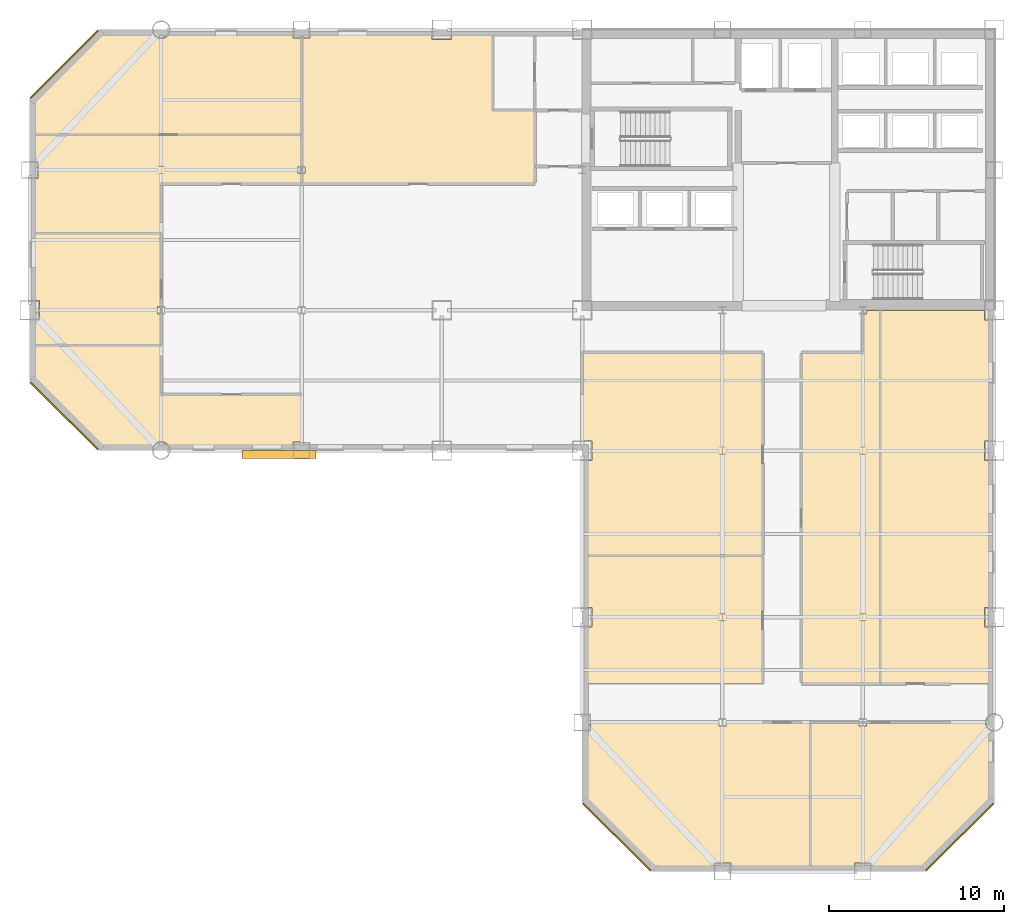
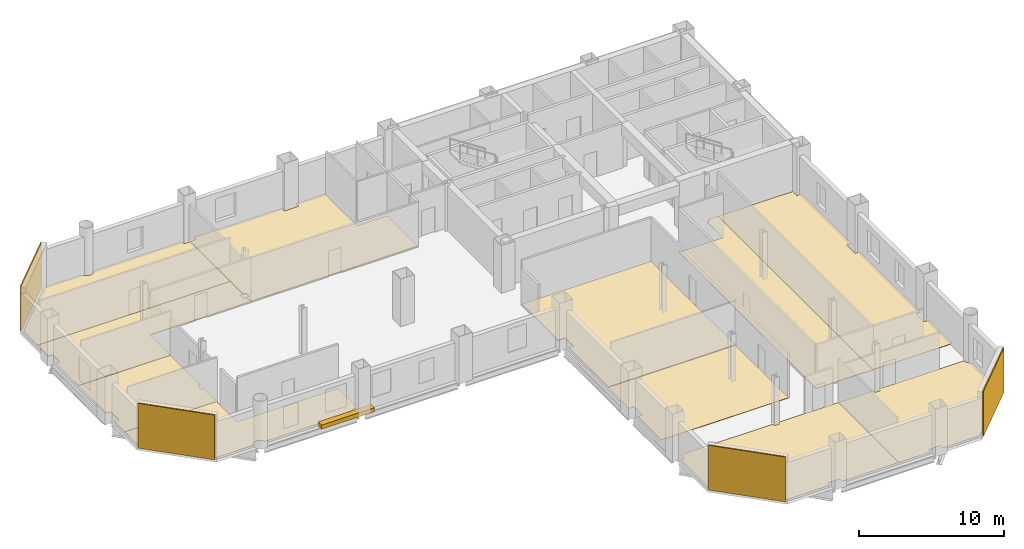
# One storey, part 9 of 10: 15 coverings, 1 shading device.
"""IFC4 building model written with IfcOpenShell, lengths in metres."""

from ifc_helpers import new_model, si_unit, direction, frame, origin, origin_2d, place, context, subcontext, project, spatial, polyline, rectangle, outline, extrude, material, layer, layer_set, type_object, element, save


model = new_model("IFC4")

# Units and contexts
model_context = context("Model", 3, precision=1e-05, world=origin(), true_north=direction((0.0, 1.0)))
body_context = subcontext(model_context, "Body", "Model", "MODEL_VIEW")
ifc_project = project(units=[si_unit("LENGTHUNIT", "METRE"), si_unit("AREAUNIT", "SQUARE_METRE"), si_unit("VOLUMEUNIT", "CUBIC_METRE"), si_unit("PLANEANGLEUNIT", "RADIAN"), si_unit("MASSUNIT", "GRAM", prefix="KILO")], contexts=[model_context])

# Site, building, storey
site_placement = place(None, origin())
site = spatial("IfcSite", under=ifc_project, at=site_placement, CompositionType="ELEMENT")
building_placement = place(site_placement, origin())
building = spatial("IfcBuilding", under=site, at=building_placement, Name="Qianrong Seaharbour Tower", CompositionType="ELEMENT")
storey_placement = place(building_placement, frame((0.0, 0.0, 159.0)))
storey = spatial("IfcBuildingStorey", under=building, at=storey_placement, Name="L38", CompositionType="ELEMENT", Elevation=159.0)

# Coverings
ifc_material_1 = material(Name="Unitised red brick cladding on Precast concrete C45/55", Category="masonry")
ifc_layer_1 = layer(ifc_material_1, 0.080078125)
ifc_layer_set_1 = layer_set([ifc_layer_1], Name="Unitised red brick cladding on Precast concrete C45/55")
covering_type_1 = type_object("IfcCoveringType", Name="COV-CLAD-RED-BRICK-80", PredefinedType="CLADDING", material=ifc_layer_set_1)
for number, where, z_axis, x_axis, name in (
    (1, (10.9716796875, 29.9716796875, 0.0), (0.0, 0.0, 1.0), (-0.707106781187, 0.707106781187, 0.0), "L38 Chamfer Corner Brick Cladding 02"),
    (2, (10.9716796875, 50.0283203125, 0.0), (0.0, 0.0, 1.0), (0.707106781187, 0.707106781187, 0.0), "L38 Chamfer Corner Brick Cladding 04"),
    (3, (62.0283203125, 5.9716796875, 0.0), (0.0, 0.0, 1.0), (-0.707106781187, -0.707106781187, 0.0), "L38 Chamfer Corner Brick Cladding 07"),
    (4, (42.4716796875, 5.9716796875, 0.0), (0.0, 0.0, 1.0), (-0.707106781187, 0.707106781187, 0.0), "L38 Chamfer Corner Brick Cladding 09"),
):
    element("IfcCovering", number, at=place(storey_placement, frame(where, z_axis=z_axis, x_axis=x_axis)), inside=storey, type_object=covering_type_1, Name=name, PredefinedType="CLADDING", context=body_context, shape_type="SweptSolid", body=[
        extrude(rectangle(XDim=5.456787109375, YDim=0.080078125, at=origin_2d()), origin(), (0.0, 0.0, 1.0), 3.764892578125),
    ])
ifc_material_2 = material(Name="Acoustic modular carpet tile flooring")
ifc_layer_2 = layer(ifc_material_2, 0.02001953125)
ifc_layer_set_2 = layer_set([ifc_layer_2], Name="Acoustic modular carpet tile flooring")
covering_type_2 = type_object("IfcCoveringType", Name="COV-FLOOR-CARPET-20", PredefinedType="FLOORING", material=ifc_layer_set_2)
covering_1_placement = place(storey_placement, origin())
element("IfcCovering", 5, at=covering_1_placement, inside=storey, type_object=covering_type_2, Name="L38 Harbour Sunset Lounge 1 Finish Flooring", PredefinedType="FLOORING", context=body_context, shape_type="SweptSolid", body=[
    extrude(outline(polyline([(16.977294921875, 28.175048828125), (16.97119140625, 28.1953125), (16.924072265625, 28.283203125), (16.860595703125, 28.360595703125), (16.783203125, 28.424072265625), (16.6953125, 28.47119140625), (16.599609375, 28.500244140625), (16.5, 28.510009765625), (16.400390625, 28.500244140625), (16.3046875, 28.47119140625), (16.216796875, 28.424072265625), (16.139404296875, 28.360595703125), (16.075927734375, 28.283203125), (16.02880859375, 28.1953125), (16.022705078125, 28.175048828125), (13.072509765625, 28.175048828125), (9.175048828125, 32.072509765625), (9.175048828125, 34.0), (16.5, 34.0), (16.5, 31.199951171875), (24.5, 31.199951171875), (24.5, 28.485107421875), (24.014892578125, 28.485107421875), (24.014892578125, 28.175048828125), (16.977294921875, 28.175048828125)])), origin(), (0.0, 0.0, 1.0), 0.02001953125),
])
covering_2_placement = place(storey_placement, origin())
element("IfcCovering", 6, at=covering_2_placement, inside=storey, type_object=covering_type_2, Name="L38 Barista Coffee Pantry 2 Finish Flooring", PredefinedType="FLOORING", context=body_context, shape_type="SweptSolid", body=[
    extrude(outline(polyline([(9.175048828125, 35.43994140625), (9.56005859375, 35.43994140625), (9.56005859375, 36.56005859375), (9.175048828125, 36.56005859375), (9.175048828125, 40.39990234375), (16.5, 40.39990234375), (16.5, 36.2099609375), (16.2900390625, 36.2099609375), (16.2900390625, 35.7900390625), (16.5, 35.7900390625), (16.5, 34.0), (9.175048828125, 34.0), (9.175048828125, 35.43994140625)])), origin(), (0.0, 0.0, 1.0), 0.02001953125),
])
covering_3_placement = place(storey_placement, origin())
element("IfcCovering", 7, at=covering_3_placement, inside=storey, type_object=covering_type_2, Name="L38 Quiet Sitting Lounge 4 Finish Flooring", PredefinedType="FLOORING", context=body_context, shape_type="SweptSolid", body=[
    extrude(outline(polyline([(9.175048828125, 47.927490234375), (13.072509765625, 51.824951171875), (16.022705078125, 51.824951171875), (16.02880859375, 51.8046875), (16.075927734375, 51.716796875), (16.139404296875, 51.639404296875), (16.216796875, 51.575927734375), (16.3046875, 51.52880859375), (16.400390625, 51.499755859375), (16.5, 51.489990234375), (16.599609375, 51.499755859375), (16.6953125, 51.52880859375), (16.783203125, 51.575927734375), (16.860595703125, 51.639404296875), (16.924072265625, 51.716796875), (16.97119140625, 51.8046875), (16.977294921875, 51.824951171875), (24.014892578125, 51.824951171875), (24.014892578125, 51.514892578125), (24.5, 51.514892578125), (24.5, 46.0), (9.175048828125, 46.0), (9.175048828125, 47.927490234375)])), origin(), (0.0, 0.0, 1.0), 0.02001953125),
])
covering_4_placement = place(storey_placement, origin())
element("IfcCovering", 8, at=covering_4_placement, inside=storey, type_object=covering_type_2, Name="L38 Catering Servery Kitchen 2 Finish Flooring", PredefinedType="FLOORING", context=body_context, shape_type="SweptSolid", body=[
    extrude(outline(polyline([(63.43994140625, 36.0), (63.43994140625, 35.43994140625), (63.824951171875, 35.43994140625), (63.824951171875, 28.56005859375), (63.43994140625, 28.56005859375), (63.43994140625, 27.43994140625), (63.824951171875, 27.43994140625), (63.824951171875, 19.06005859375), (63.43994140625, 19.06005859375), (63.43994140625, 17.93994140625), (63.824951171875, 17.93994140625), (63.824951171875, 14.699951171875), (57.5, 14.699951171875), (57.5, 36.0), (63.43994140625, 36.0)])), origin(), (0.0, 0.0, 1.0), 0.02001953125),
])
covering_5_placement = place(storey_placement, origin())
element("IfcCovering", 9, at=covering_5_placement, inside=storey, type_object=covering_type_2, Name="L38 Wet Pantry 1 Finish Flooring", PredefinedType="FLOORING", context=body_context, shape_type="SweptSolid", body=[
    extrude(outline(polyline([(40.675048828125, 14.699951171875), (40.675048828125, 17.93994140625), (41.06005859375, 17.93994140625), (41.06005859375, 19.06005859375), (40.675048828125, 19.06005859375), (40.675048828125, 22.0), (50.800048828125, 22.0), (50.800048828125, 14.699951171875), (40.675048828125, 14.699951171875)])), origin(), (0.0, 0.0, 1.0), 0.02001953125),
])
covering_6_placement = place(storey_placement, origin())
element("IfcCovering", 10, at=covering_6_placement, inside=storey, type_object=covering_type_2, Name="L38 South View Lounge 1 Finish Flooring", PredefinedType="FLOORING", context=body_context, shape_type="SweptSolid", body=[
    extrude(outline(polyline([(48.985107421875, 4.175048828125), (48.985107421875, 4.485107421875), (48.014892578125, 4.485107421875), (48.014892578125, 4.175048828125), (44.572509765625, 4.175048828125), (40.675048828125, 8.072509765625), (40.675048828125, 12.014892578125), (40.985107421875, 12.014892578125), (40.985107421875, 12.5), (48.2900390625, 12.5), (48.2900390625, 12.2900390625), (48.7099609375, 12.2900390625), (48.7099609375, 12.5), (53.5, 12.5), (53.5, 4.175048828125), (48.985107421875, 4.175048828125)])), origin(), (0.0, 0.0, 1.0), 0.02001953125),
])
covering_7_placement = place(storey_placement, origin())
element("IfcCovering", 11, at=covering_7_placement, inside=storey, type_object=covering_type_2, Name="L38 Tea Servery Pantry 2 Finish Flooring", PredefinedType="FLOORING", context=body_context, shape_type="SweptSolid", body=[
    extrude(outline(polyline([(63.824951171875, 8.072509765625), (59.927490234375, 4.175048828125), (56.985107421875, 4.175048828125), (56.985107421875, 4.485107421875), (56.014892578125, 4.485107421875), (56.014892578125, 4.175048828125), (53.5, 4.175048828125), (53.5, 12.5), (56.2900390625, 12.5), (56.2900390625, 12.2900390625), (56.7099609375, 12.2900390625), (56.7099609375, 12.5), (63.489990234375, 12.5), (63.499755859375, 12.400390625), (63.52880859375, 12.3046875), (63.575927734375, 12.216796875), (63.639404296875, 12.139404296875), (63.716796875, 12.075927734375), (63.8046875, 12.02880859375), (63.824951171875, 12.022705078125), (63.824951171875, 8.072509765625)])), origin(), (0.0, 0.0, 1.0), 0.02001953125),
])
ifc_material_3 = material(Name="Honed granite stone flooring", Category="masonry")
ifc_layer_3 = layer(ifc_material_3, 0.030029296875)
ifc_layer_set_3 = layer_set([ifc_layer_3], Name="Honed granite stone flooring")
covering_type_3 = type_object("IfcCoveringType", Name="COV-FLOOR-GRANITE-30", PredefinedType="FLOORING", material=ifc_layer_set_3)
covering_8_placement = place(storey_placement, origin())
element("IfcCovering", 12, at=covering_8_placement, inside=storey, type_object=covering_type_3, Name="L38 Hospitality Dining Room 3 Finish Flooring", PredefinedType="FLOORING", context=body_context, shape_type="SweptSolid", body=[
    extrude(outline(polyline([(16.5, 43.199951171875), (16.5, 40.39990234375), (9.175048828125, 40.39990234375), (9.175048828125, 43.514892578125), (9.485107421875, 43.514892578125), (9.485107421875, 44.485107421875), (9.175048828125, 44.485107421875), (9.175048828125, 46.0), (24.5, 46.0), (24.5, 44.2099609375), (24.2900390625, 44.2099609375), (24.2900390625, 43.7900390625), (24.5, 43.7900390625), (24.5, 43.199951171875), (16.5, 43.199951171875)])), origin(), (0.0, 0.0, 1.0), 0.030029296875),
])
covering_9_placement = place(storey_placement, origin())
element("IfcCovering", 13, at=covering_9_placement, inside=storey, type_object=covering_type_3, Name="L38 East Harbour Dining Salon 1 Finish Flooring", PredefinedType="FLOORING", context=body_context, shape_type="SweptSolid", body=[
    extrude(outline(polyline([(56.5, 33.60009765625), (56.5, 35.7900390625), (56.7099609375, 35.7900390625), (56.7099609375, 36.0), (57.5, 36.0), (57.5, 14.699951171875), (53.0, 14.699951171875), (53.0, 33.60009765625), (56.5, 33.60009765625)])), origin(), (0.0, 0.0, 1.0), 0.030029296875),
])
ifc_material_4 = material(Name="Calcium-sulphate raised access floor tile")
ifc_layer_4 = layer(ifc_material_4, 0.044921875)
ifc_layer_set_4 = layer_set([ifc_layer_4], Name="Calcium-sulphate raised access floor tile")
covering_type_4 = type_object("IfcCoveringType", Name="COV-FLOOR-RAISED-45", PredefinedType="FLOORING", material=ifc_layer_set_4)
covering_10_placement = place(storey_placement, origin())
element("IfcCovering", 14, at=covering_10_placement, inside=storey, type_object=covering_type_4, Name="L38 Central Spine Open-Plan Office Finish Flooring", PredefinedType="FLOORING", context=body_context, shape_type="SweptSolid", body=[
    extrude(outline(polyline([(31.93994140625, 51.824951171875), (31.93994140625, 51.43994140625), (33.06005859375, 51.43994140625), (33.06005859375, 51.824951171875), (35.39990234375, 51.824951171875), (35.39990234375, 47.39990234375), (37.800048828125, 47.39990234375), (37.800048828125, 43.199951171875), (24.5, 43.199951171875), (24.5, 43.7900390625), (24.7099609375, 43.7900390625), (24.7099609375, 44.2099609375), (24.5, 44.2099609375), (24.5, 51.514892578125), (24.985107421875, 51.514892578125), (24.985107421875, 51.824951171875), (31.93994140625, 51.824951171875)])), origin(), (0.0, 0.0, 1.0), 0.044921875),
])
covering_11_placement = place(storey_placement, origin())
element("IfcCovering", 15, at=covering_11_placement, inside=storey, type_object=covering_type_4, Name="L38 Concierge Office 2 Finish Flooring", PredefinedType="FLOORING", context=body_context, shape_type="SweptSolid", body=[
    extrude(outline(polyline([(50.800048828125, 22.0), (40.675048828125, 22.0), (40.675048828125, 27.43994140625), (41.06005859375, 27.43994140625), (41.06005859375, 28.56005859375), (40.5, 28.56005859375), (40.5, 33.60009765625), (50.800048828125, 33.60009765625), (50.800048828125, 22.0)])), origin(), (0.0, 0.0, 1.0), 0.044921875),
])

# Shading device
ifc_material_5 = material(Name="White architectural precast concrete C45/55", Category="concrete")
shading_device_type = type_object("IfcShadingDeviceType", Name="SHD-SUNSHADE-WHITE-320", PredefinedType="AWNING", material=ifc_material_5)
shading_device_placement = place(storey_placement, frame((23.21240234375, 27.780029296875, -0.02001953125), z_axis=(0.0, 0.0, 1.0), x_axis=(1.0, 0.0, 0.0)))
element("IfcShadingDevice", 16, at=shading_device_placement, inside=storey, type_object=shading_device_type, Name="L38 Climbing White Precast Ribbon Canopy Fin", PredefinedType="AWNING", context=body_context, shape_type="SweptSolid", body=[
    extrude(rectangle(XDim=4.199951171875, YDim=0.4599609375, at=origin_2d()), origin(), (0.0, 0.0, 1.0), 0.340087890625),
])

save(model, "model.ifc")
